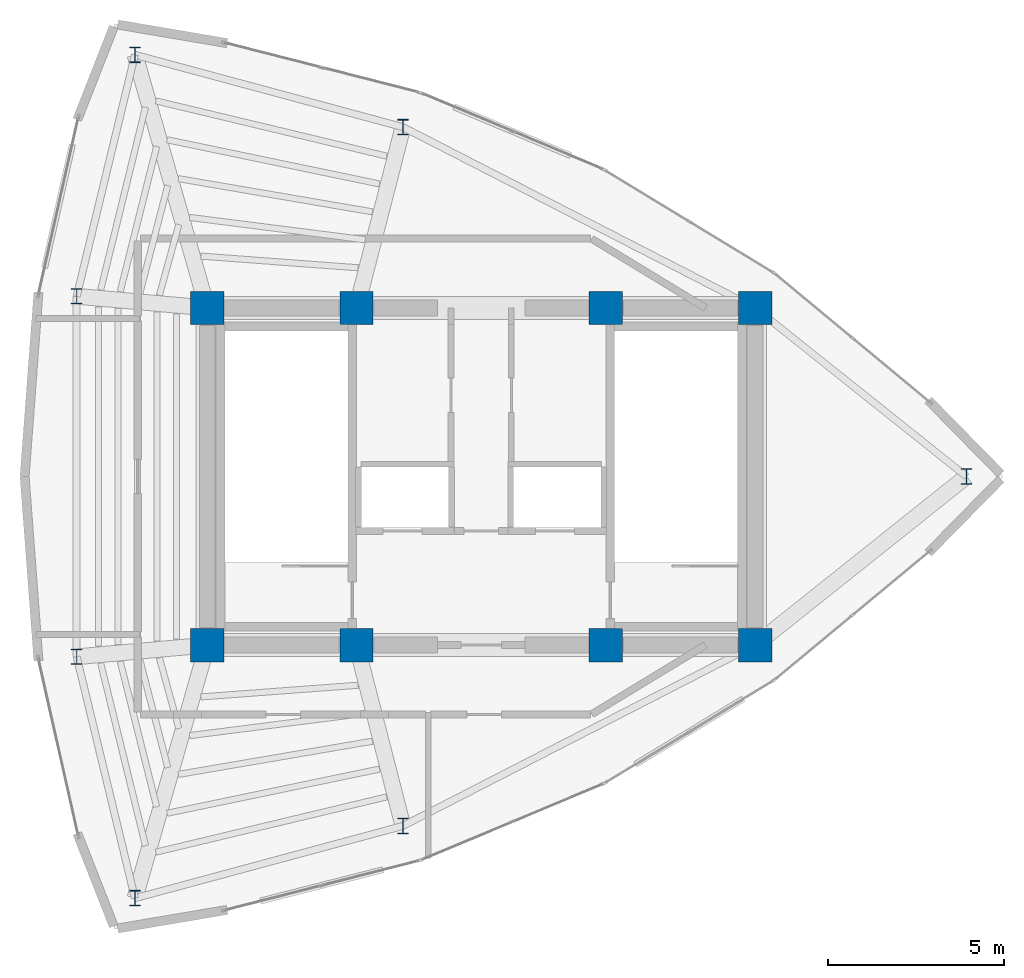
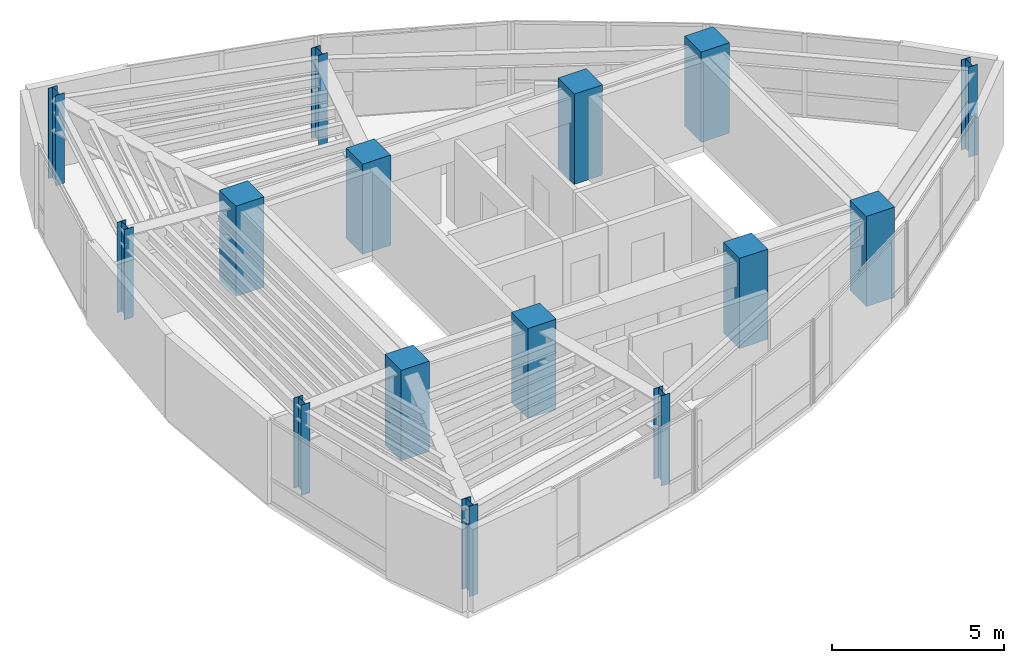
# One storey, part 1 of 13: 15 columns.
"""IFC4 building model written with IfcOpenShell, lengths in metres."""

from ifc_helpers import new_model, si_unit, direction, frame, origin, origin_2d, place, context, subcontext, project, spatial, rectangle, i_section, extrude, material, material_profile, profile_set, type_object, element, save


model = new_model("IFC4")

# Units and contexts
model_context = context("Model", 3, precision=1e-05, world=origin(), true_north=direction((0.0, 1.0)))
body_context = subcontext(model_context, "Body", "Model", "MODEL_VIEW")
ifc_project = project(units=[si_unit("LENGTHUNIT", "METRE"), si_unit("AREAUNIT", "SQUARE_METRE"), si_unit("VOLUMEUNIT", "CUBIC_METRE"), si_unit("PLANEANGLEUNIT", "RADIAN"), si_unit("MASSUNIT", "GRAM", prefix="KILO")], contexts=[model_context])

# Site, building, storey
site_placement = place(None, origin())
site = spatial("IfcSite", under=ifc_project, at=site_placement, CompositionType="ELEMENT")
building_placement = place(site_placement, origin())
building = spatial("IfcBuilding", under=site, at=building_placement, Name="Menara Vayukalpa", CompositionType="ELEMENT")
storey_placement = place(building_placement, frame((0.0, 0.0, 315.219970703125)))
storey = spatial("IfcBuildingStorey", under=building, at=storey_placement, Name="L81", CompositionType="ELEMENT", Elevation=315.219970703125)

# Columns
ifc_material_1 = material(Name="Concrete C60/75", Category="concrete")
ifc_material_profile_1 = material_profile(ifc_material_1, rectangle(XDim=0.949951171875, YDim=0.949951171875, at=origin_2d()), Name="RC 950x950")
ifc_profile_set_1 = profile_set([ifc_material_profile_1], Name="Concrete C60/75")
column_type_1 = type_object("IfcColumnType", Name="COL-CC2", PredefinedType="COLUMN", material=ifc_profile_set_1)
for number, where, z_axis, x_axis, name in (
    (1, (17.800048828125, 17.199951171875, 0.0), (0.0, 0.0, 1.0), (1.0, 0.0, 0.0), "L81 Core Pilaster Column CC1"),
    (2, (22.050048828125, 17.199951171875, 0.0), (0.0, 0.0, 1.0), (1.0, 0.0, 0.0), "L81 Core Pilaster Column CC2"),
    (3, (29.14990234375, 17.199951171875, 0.0), (0.0, 0.0, 1.0), (1.0, 0.0, 0.0), "L81 Core Pilaster Column CC3"),
    (4, (33.39990234375, 17.199951171875, 0.0), (0.0, 0.0, 1.0), (1.0, 0.0, 0.0), "L81 Core Pilaster Column CC4"),
    (5, (17.800048828125, 26.800048828125, 0.0), (0.0, 0.0, 1.0), (1.0, 0.0, 0.0), "L81 Core Pilaster Column CC5"),
    (6, (22.050048828125, 26.800048828125, 0.0), (0.0, 0.0, 1.0), (1.0, 0.0, 0.0), "L81 Core Pilaster Column CC6"),
    (7, (29.14990234375, 26.800048828125, 0.0), (0.0, 0.0, 1.0), (1.0, 0.0, 0.0), "L81 Core Pilaster Column CC7"),
    (8, (33.39990234375, 26.800048828125, 0.0), (0.0, 0.0, 1.0), (1.0, 0.0, 0.0), "L81 Core Pilaster Column CC8"),
):
    element("IfcColumn", number, at=place(storey_placement, frame(where, z_axis=z_axis, x_axis=x_axis)), inside=storey, type_object=column_type_1, Name=name, PredefinedType="COLUMN", context=body_context, shape_type="SweptSolid", body=[
        extrude(rectangle(XDim=0.949951171875, YDim=0.949951171875, at=origin_2d()), origin(), (0.0, 0.0, 1.0), 3.199951171875),
    ])
ifc_material_2 = material(Name="Steel S355", Category="steel")
ifc_material_profile_2 = material_profile(ifc_material_2, i_section(OverallWidth=0.300048828125, OverallDepth=0.43994140625, WebThickness=0.010986328125, FlangeThickness=0.01806640625, at=origin_2d()), Name="H 440x300x11x18")
ifc_profile_set_2 = profile_set([ifc_material_profile_2], Name="Steel S355")
column_type_2 = type_object("IfcColumnType", Name="COL-SC2", PredefinedType="COLUMN", material=ifc_profile_set_2)
for number, where, z_axis, x_axis, name in (
    (9, (39.4189453125, 22.0, 0.0), (0.0, 0.0, 1.0), (1.0, 0.0, 0.0), "L81 Perimeter Mega Column P01"),
    (10, (23.37060546875, 31.949462890625, 0.0), (0.0, 0.0, 1.0), (1.0, 0.0, 0.0), "L81 Perimeter Mega Column P03"),
    (11, (15.740478515625, 34.0078125, 0.0), (0.0, 0.0, 1.0), (1.0, 0.0, 0.0), "L81 Perimeter Mega Column P04"),
    (12, (14.081298828125, 27.1328125, 0.0), (0.0, 0.0, 1.0), (1.0, 0.0, 0.0), "L81 Perimeter Mega Column P05"),
    (13, (14.081298828125, 16.8671875, 0.0), (0.0, 0.0, 1.0), (1.0, 0.0, 0.0), "L81 Perimeter Mega Column P06"),
    (14, (15.740478515625, 9.9921875, 0.0), (0.0, 0.0, 1.0), (1.0, 0.0, 0.0), "L81 Perimeter Mega Column P07"),
    (15, (23.37060546875, 12.050537109375, 0.0), (0.0, 0.0, 1.0), (1.0, 0.0, 0.0), "L81 Perimeter Mega Column P08"),
):
    element("IfcColumn", number, at=place(storey_placement, frame(where, z_axis=z_axis, x_axis=x_axis)), inside=storey, type_object=column_type_2, Name=name, PredefinedType="COLUMN", context=body_context, shape_type="SweptSolid", body=[
        extrude(i_section(OverallWidth=0.300048828125, OverallDepth=0.43994140625, WebThickness=0.010986328125, FlangeThickness=0.01806640625, at=origin_2d()), origin(), (0.0, 0.0, 1.0), 3.199951171875),
    ])

save(model, "model.ifc")
